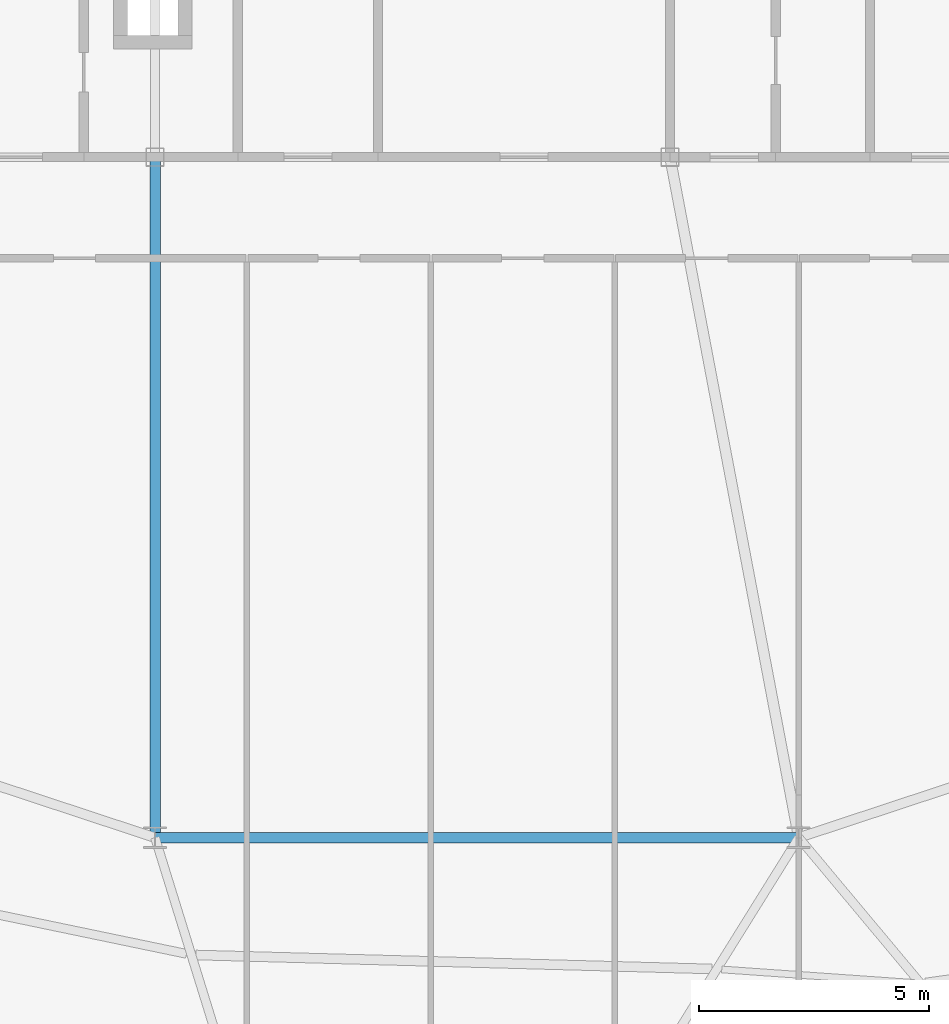
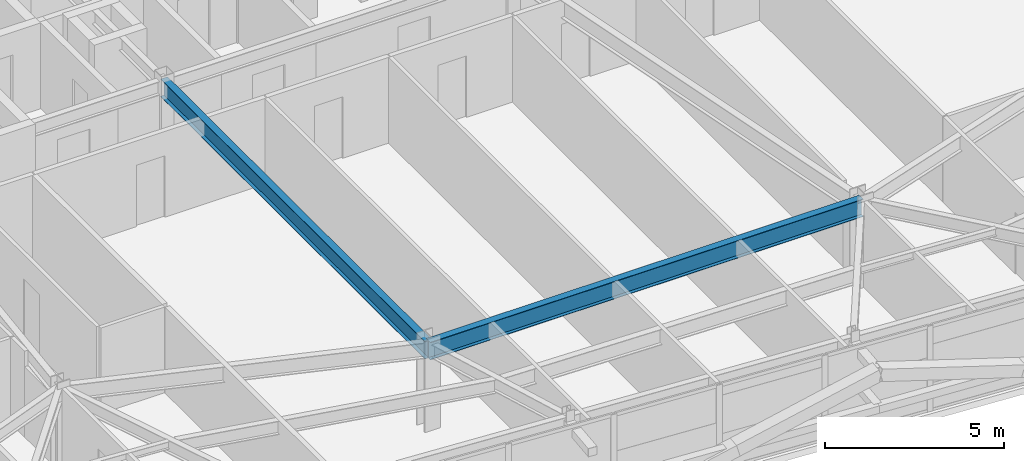
# One storey, part 13 of 47: 2 beams.
"""IFC4 building model written with IfcOpenShell, lengths in metres."""

from ifc_helpers import new_model, si_unit, direction, frame, origin, origin_2d, place, context, subcontext, project, spatial, i_section, extrude, source, transform, mapped, material, material_profile, profile_set, type_object, element, save


model = new_model("IFC4")

# Units and contexts
model_context = context("Model", 3, precision=1e-05, world=origin(), true_north=direction((0.0, 1.0)))
body_context = subcontext(model_context, "Body", "Model", "MODEL_VIEW")
ifc_project = project(units=[si_unit("LENGTHUNIT", "METRE"), si_unit("AREAUNIT", "SQUARE_METRE"), si_unit("VOLUMEUNIT", "CUBIC_METRE"), si_unit("PLANEANGLEUNIT", "RADIAN"), si_unit("MASSUNIT", "GRAM", prefix="KILO")], contexts=[model_context])

# Site, building, storey
site_placement = place(None, origin())
site = spatial("IfcSite", under=ifc_project, at=site_placement, CompositionType="ELEMENT")
building_placement = place(site_placement, origin())
building = spatial("IfcBuilding", under=site, at=building_placement, Name="Taldren Reach Tower", CompositionType="ELEMENT")
storey_placement = place(building_placement, frame((0.0, 0.0, 139.300048828125)))
storey = spatial("IfcBuildingStorey", under=building, at=storey_placement, Name="L42", CompositionType="ELEMENT", Elevation=139.300048828125)

# Beams
ifc_material = material(Name="Steel Gr 350 (350PLUS)", Category="steel")
ifc_material_profile = material_profile(ifc_material, i_section(OverallWidth=0.22802734375, OverallDepth=0.60205078125, WebThickness=0.010498046875, FlangeThickness=0.014892578125, at=origin_2d()), Name="610UB101")
ifc_profile_set = profile_set([ifc_material_profile], Name="Steel Gr 350 (350PLUS)")
beam_type = type_object("IfcBeamType", Name="BM-UB610B", PredefinedType="BEAM", material=ifc_profile_set)
shared_shape_1 = source(origin(), body_context, "Body", "SweptSolid", [
    extrude(i_section(OverallWidth=0.22802734375, OverallDepth=0.60205078125, WebThickness=0.010498046875, FlangeThickness=0.014892578125, at=origin_2d()), origin(), (0.0, 0.0, 1.0), 14.0),
])
beam_1_placement = place(storey_placement, frame((28.0, 9.199951171875, 2.62890625), z_axis=(1.0, 0.0, 0.0), x_axis=(0.0, 1.0, 0.0)))
element("IfcBeam", 1, at=beam_1_placement, inside=storey, type_object=beam_type, Name="Core-spine girder L42-SP11", PredefinedType="BEAM", context=body_context, shape_type="MappedRepresentation", body=[
    mapped(shared_shape_1, transform((0.0, 0.0, 0.0), scale=1.0)),
])
shared_shape_2 = source(origin(), body_context, "Body", "SweptSolid", [
    extrude(i_section(OverallWidth=0.22802734375, OverallDepth=0.60205078125, WebThickness=0.010498046875, FlangeThickness=0.014892578125, at=origin_2d()), origin(), (0.0, 0.0, 1.0), 14.800048828125),
])
beam_2_placement = place(storey_placement, frame((28.0, 24.0, 2.62890625), z_axis=(0.0, -1.0, 0.0), x_axis=(1.0, 0.0, 0.0)))
element("IfcBeam", 2, at=beam_2_placement, inside=storey, type_object=beam_type, Name="Core-spine girder L42-SP14", PredefinedType="BEAM", context=body_context, shape_type="MappedRepresentation", body=[
    mapped(shared_shape_2, transform((0.0, 0.0, 0.0), scale=1.0)),
])

save(model, "model.ifc")
